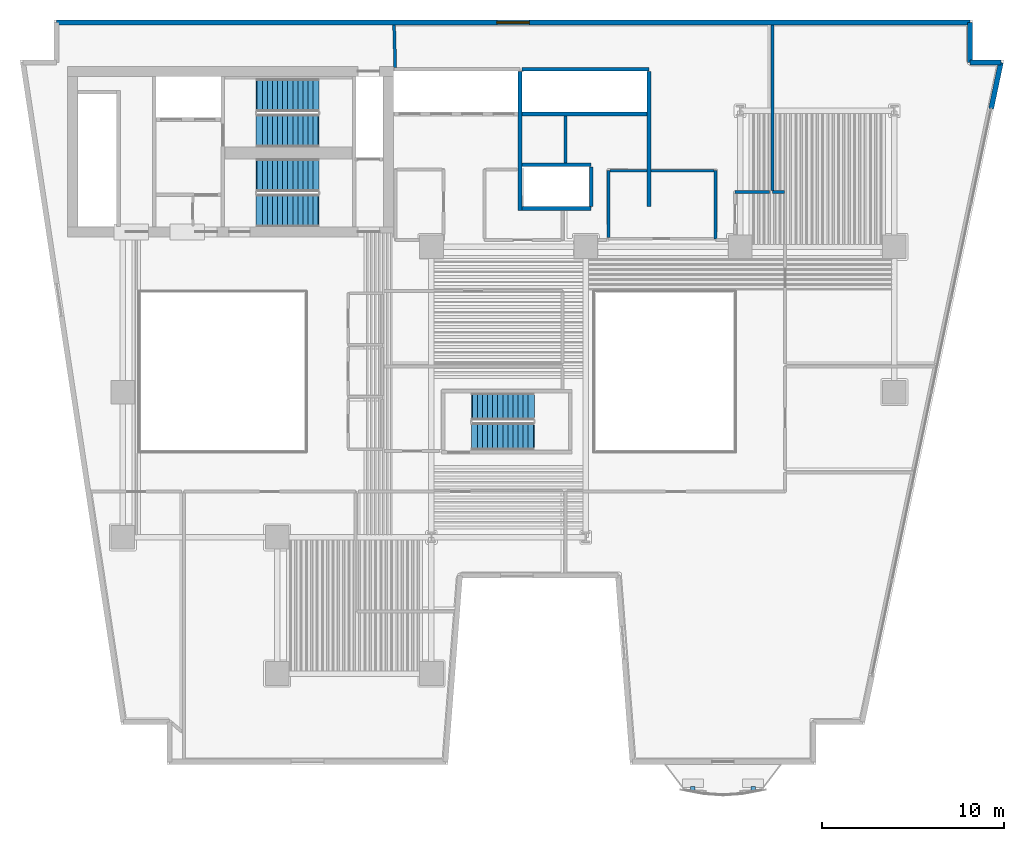
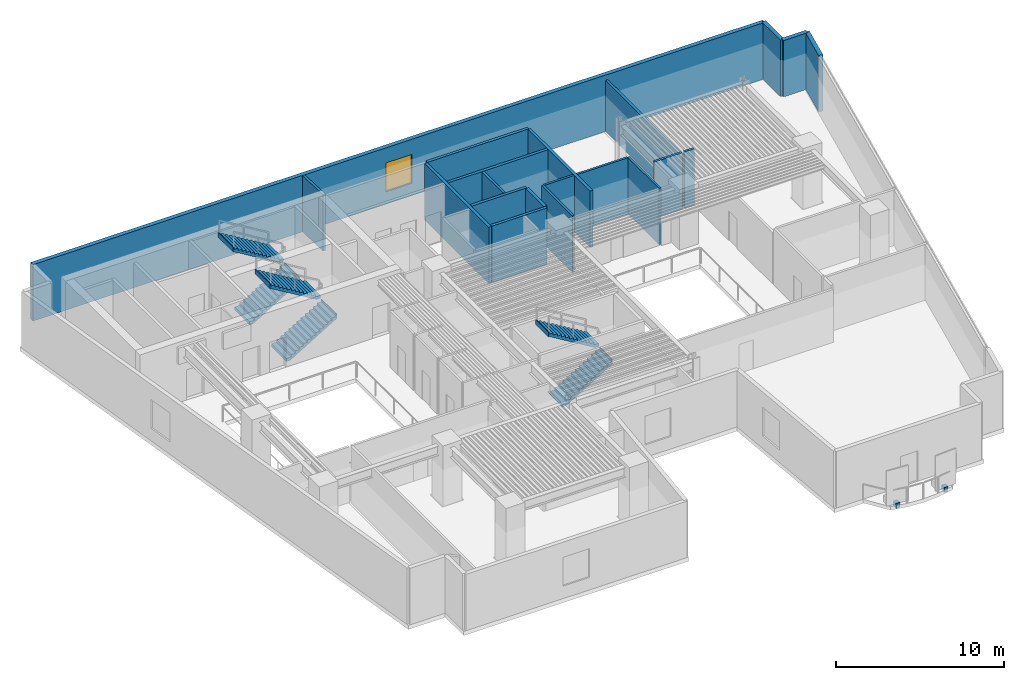
# One storey, part 6 of 11: 20 walls, 6 stair flights, 2 discrete accessories, 1 window, 1 opening, 3 elements without a shape of their own.
"""IFC4 building model written with IfcOpenShell, lengths in metres."""

from ifc_helpers import new_model, si_unit, direction, frame, frame_2d, origin, origin_2d, place, context, subcontext, project, spatial, polyline, rectangle, outline, extrude, material, layer, layer_set, type_object, element, fill, aggregate, save


model = new_model("IFC4")

# Units and contexts
model_context = context("Model", 3, precision=1e-05, world=origin(), true_north=direction((0.0, 1.0)))
body_context = subcontext(model_context, "Body", "Model", "MODEL_VIEW")
ifc_project = project(units=[si_unit("LENGTHUNIT", "METRE"), si_unit("AREAUNIT", "SQUARE_METRE"), si_unit("VOLUMEUNIT", "CUBIC_METRE"), si_unit("PLANEANGLEUNIT", "RADIAN"), si_unit("MASSUNIT", "GRAM", prefix="KILO")], contexts=[model_context])

# Site, building, storey
site_placement = place(None, origin())
site = spatial("IfcSite", under=ifc_project, at=site_placement, CompositionType="ELEMENT")
building_placement = place(site_placement, origin())
building = spatial("IfcBuilding", under=site, at=building_placement, Name="Caeloran Harvest Quay", CompositionType="ELEMENT")
storey_placement = place(building_placement, frame((0.0, 0.0, 66.60009765625)))
storey = spatial("IfcBuildingStorey", under=building, at=storey_placement, Name="L15", CompositionType="ELEMENT", Elevation=66.60009765625)

# Wall, opening, window
ifc_material_1 = material(Name="Precast concrete C50/60", Category="concrete")
ifc_layer_1 = layer(ifc_material_1, 0.280029296875, Name="Precast concrete C50/60")
ifc_layer_set_1 = layer_set([ifc_layer_1], Name="Precast concrete C50/60")
wall_type_1 = type_object("IfcWallType", Name="ENV-WALL-EW-280", PredefinedType="STANDARD", material=ifc_layer_set_1)
wall_1_placement = place(storey_placement, frame((4.840087890625, 43.360107421875, 0.0), z_axis=(0.0, 0.0, 1.0), x_axis=(1.0, 0.0, 0.0)))
wall_1 = element("IfcWall", 1, at=wall_1_placement, inside=storey, type_object=wall_type_1, Name="L15 Exterior Precast Concrete Facade Wall 6", PredefinedType="STANDARD", context=body_context, shape_type="SweptSolid", body=[
    extrude(rectangle(XDim=50.31982421875, YDim=0.280029296875, at=frame_2d((25.159912109375, 0.0))), origin(), (0.0, 0.0, 1.0), 4.099853515625),
])
opening_placement = place(wall_1_placement, frame((24.260009765625, 0.0, 0.89990234375)))
opening = element("IfcOpeningElement", 2, at=opening_placement, cuts=wall_1, Name="Opening W-01", PredefinedType="OPENING", context=body_context, shape_type="SweptSolid", body=[
    extrude(rectangle(XDim=1.800048828125, YDim=2.10009765625, at=frame_2d((0.89990234375, 1.050048828125))), frame((0.0, 0.14990234375, 0.0), z_axis=(0.0, -1.0, 0.0), x_axis=(1.0, 0.0, 0.0)), (0.0, 0.0, 1.0), 0.300048828125),
])
ifc_material_2 = material(Name="Aluminium-Framed Low-E Laminated Glass", Category="aluminium")
window_type = type_object("IfcWindowType", Name="WIN-W-01", PartitioningType="SINGLE_PANEL", PredefinedType="WINDOW", material=ifc_material_2)
window_placement = place(opening_placement, origin())
window = element("IfcWindow", 3, at=window_placement, inside=storey, type_object=window_type, Name="L15 Facade Punched Window W-01", OverallHeight=2.10009765625, OverallWidth=1.800048828125, PartitioningType="SINGLE_PANEL", PredefinedType="WINDOW", context=body_context, shape_type="SweptSolid", body=[
    extrude(rectangle(XDim=1.800048828125, YDim=2.10009765625, at=frame_2d((0.89990234375, 1.050048828125))), frame((0.0, 0.030029296875, 0.0), z_axis=(0.0, -1.0, 0.0), x_axis=(1.0, 0.0, 0.0)), (0.0, 0.0, 1.0), 0.06005859375),
])
fill(opening, window)

# Walls
wall_2_placement = place(storey_placement, frame((55.159912109375, 43.360107421875, 0.0), z_axis=(0.0, 0.0, 1.0), x_axis=(0.0, -1.0, 0.0)))
element("IfcWall", 4, at=wall_2_placement, inside=storey, type_object=wall_type_1, Name="L15 Exterior Precast Concrete Facade Wall 7", PredefinedType="STANDARD", context=body_context, shape_type="SweptSolid", body=[
    extrude(rectangle(XDim=2.2001953125, YDim=0.280029296875, at=frame_2d((1.10009765625, 0.0))), origin(), (0.0, 0.0, 1.0), 4.099853515625),
])
wall_3_placement = place(storey_placement, frame((55.159912109375, 41.159912109375, 0.0), z_axis=(0.0, 0.0, 1.0), x_axis=(1.0, 0.0, 0.0)))
element("IfcWall", 5, at=wall_3_placement, inside=storey, type_object=wall_type_1, Name="L15 Exterior Precast Concrete Facade Wall 8", PredefinedType="STANDARD", context=body_context, shape_type="SweptSolid", body=[
    extrude(rectangle(XDim=1.705322265625, YDim=0.280029296875, at=frame_2d((0.8525390625, 0.0))), origin(), (0.0, 0.0, 1.0), 4.099853515625),
])
wall_4_placement = place(storey_placement, frame((56.865234375, 41.159912109375, 0.0), z_axis=(0.0, 0.0, 1.0), x_axis=(-0.205551409765, -0.978646319128, 0.0)))
element("IfcWall", 6, at=wall_4_placement, inside=storey, type_object=wall_type_1, Name="L15 Exterior Facade Corner Pier Wall 9A", PredefinedType="STANDARD", context=body_context, shape_type="SweptSolid", body=[
    extrude(rectangle(XDim=2.599853515625, YDim=0.280029296875, at=frame_2d((1.2998046875, 0.0))), origin(), (0.0, 0.0, 1.0), 4.099853515625),
])
ifc_material_3 = material(Name="Autoclaved Aerated Concrete Blockwork and Plasterboard", Category="masonry")
ifc_layer_2 = layer(ifc_material_3, 0.14990234375, Name="Autoclaved Aerated Concrete Blockwork and Plasterboard")
ifc_layer_set_2 = layer_set([ifc_layer_2], Name="Autoclaved Aerated Concrete Blockwork and Plasterboard")
wall_type_2 = type_object("IfcWallType", Name="INT-WALL-PW-150", PredefinedType="PARTITIONING", material=ifc_layer_set_2)
wall_5_placement = place(storey_placement, frame((41.14990234375, 35.199951171875, 0.0), z_axis=(0.0, 0.0, 1.0), x_axis=(0.0, -1.0, 0.0)))
element("IfcWall", 7, at=wall_5_placement, inside=storey, type_object=wall_type_2, Name="L15 Core Telemetry Control Room Partition Wall", PredefinedType="PARTITIONING", context=body_context, shape_type="SweptSolid", body=[
    extrude(rectangle(XDim=3.75, YDim=0.14990234375, at=frame_2d((1.875, 0.0))), origin(), (0.0, 0.0, 1.0), 4.099853515625),
])
wall_6_placement = place(storey_placement, frame((35.25, 31.530029296875, 0.0), z_axis=(0.0, 0.0, 1.0), x_axis=(0.0, 1.0, 0.0)))
element("IfcWall", 8, at=wall_6_placement, inside=storey, type_object=wall_type_2, Name="L15 Core Telemetry Control Room Partition Wall", PredefinedType="PARTITIONING", context=body_context, shape_type="SweptSolid", body=[
    extrude(rectangle(XDim=3.669921875, YDim=0.14990234375, at=frame_2d((1.8349609375, 0.0))), origin(), (0.0, 0.0, 1.0), 4.099853515625),
])
wall_7_placement = place(storey_placement, frame((35.330078125, 35.199951171875, 0.0), z_axis=(0.0, 0.0, 1.0), x_axis=(1.0, 0.0, 0.0)))
element("IfcWall", 9, at=wall_7_placement, inside=storey, type_object=wall_type_2, Name="L15 Core Telemetry Control Room Partition Wall", PredefinedType="PARTITIONING", context=body_context, shape_type="SweptSolid", body=[
    extrude(rectangle(XDim=2.044921875, YDim=0.14990234375, at=frame_2d((1.0224609375, 0.0))), origin(), (0.0, 0.0, 1.0), 4.099853515625),
])
wall_8_placement = place(storey_placement, frame((37.5849609375, 35.199951171875, 0.0), z_axis=(0.0, 0.0, 1.0), x_axis=(1.0, 0.0, 0.0)))
element("IfcWall", 10, at=wall_8_placement, inside=storey, type_object=wall_type_2, Name="L15 Core Telemetry Control Room Partition Wall", PredefinedType="PARTITIONING", context=body_context, shape_type="SweptSolid", body=[
    extrude(rectangle(XDim=3.485107421875, YDim=0.14990234375, at=frame_2d((1.74267578125, 0.0))), origin(), (0.0, 0.0, 1.0), 4.099853515625),
])
ifc_material_4 = material(Name="Autoclaved Aerated Concrete Blockwork", Category="masonry")
ifc_layer_3 = layer(ifc_material_4, 0.1650390625, Name="Autoclaved Aerated Concrete Blockwork")
ifc_layer_set_3 = layer_set([ifc_layer_3], Name="Autoclaved Aerated Concrete Blockwork")
wall_type_3 = type_object("IfcWallType", Name="INT-WALL-PW-165", PredefinedType="PARTITIONING", material=ifc_layer_set_3)
wall_9_placement = place(storey_placement, frame((44.949951171875, 34.030029296875, 0.0), z_axis=(0.0, 0.0, 1.0), x_axis=(-1.0, 0.0, 0.0)))
element("IfcWall", 11, at=wall_9_placement, inside=storey, type_object=wall_type_3, Name="Medicinal Plant Aeroponic Room 10 Partition Wall", PredefinedType="PARTITIONING", context=body_context, shape_type="SweptSolid", body=[
    extrude(rectangle(XDim=0.669921875, YDim=0.1650390625, at=frame_2d((0.3349609375, 0.0))), origin(), (0.0, 0.0, 1.0), 4.099853515625),
])
wall_10_placement = place(storey_placement, frame((44.280029296875, 34.117431640625, 0.0), z_axis=(0.0, 0.0, 1.0), x_axis=(0.0, 1.0, 0.0)))
element("IfcWall", 12, at=wall_10_placement, inside=storey, type_object=wall_type_3, Name="Medicinal Plant Aeroponic Room 10 Partition Wall", PredefinedType="PARTITIONING", context=body_context, shape_type="SweptSolid", body=[
    extrude(rectangle(XDim=9.09765625, YDim=0.1650390625, at=frame_2d((4.548828125, 0.0))), origin(), (0.0, 0.0, 1.0), 3.724853515625),
])
wall_11_placement = place(storey_placement, frame((44.1201171875, 34.030029296875, 0.0), z_axis=(0.0, 0.0, 1.0), x_axis=(-1.0, 0.0, 0.0)))
element("IfcWall", 13, at=wall_11_placement, inside=storey, type_object=wall_type_3, Name="Photobiology Spectrum Laboratory 11 Partition Wall", PredefinedType="PARTITIONING", context=body_context, shape_type="SweptSolid", body=[
    extrude(rectangle(XDim=1.900146484375, YDim=0.1650390625, at=frame_2d((0.9501953125, 0.0))), origin(), (0.0, 0.0, 1.0), 4.099853515625),
])
wall_12_placement = place(storey_placement, frame((32.8798828125, 35.635009765625, 0.0), z_axis=(0.0, 0.0, 1.0), x_axis=(0.0, 1.0, 0.0)))
element("IfcWall", 14, at=wall_12_placement, inside=storey, type_object=wall_type_3, Name="Photobiology Spectrum Laboratory 11 Partition Wall", PredefinedType="PARTITIONING", context=body_context, shape_type="SweptSolid", body=[
    extrude(rectangle(XDim=2.580078125, YDim=0.1650390625, at=frame_2d((1.2900390625, 0.0))), origin(), (0.0, 0.0, 1.0), 4.099853515625),
])
wall_13_placement = place(storey_placement, frame((23.505615234375, 40.885009765625, 0.0), z_axis=(0.0, 0.0, 1.0), x_axis=(-0.027441464163, 0.999623412113, 0.0)))
element("IfcWall", 15, at=wall_13_placement, inside=storey, type_object=wall_type_3, Name="Photobiology Spectrum Laboratory 11 Partition Wall", PredefinedType="PARTITIONING", context=body_context, shape_type="SweptSolid", body=[
    extrude(rectangle(XDim=2.3310546875, YDim=0.1650390625, at=frame_2d((1.16552734375, 0.0))), origin(), (0.0, 0.0, 1.0), 4.099853515625),
])
ifc_material_5 = material(Name="Concrete C50/60", Category="concrete")
ifc_layer_4 = layer(ifc_material_5, 0.199951171875, Name="Concrete C50/60")
ifc_layer_set_4 = layer_set([ifc_layer_4], Name="Concrete C50/60")
wall_type_4 = type_object("IfcWallType", Name="INT-WALL-SW-200", PredefinedType="PARTITIONING", material=ifc_layer_set_4)
wall_14_placement = place(storey_placement, frame((30.3798828125, 33.02001953125, 0.0), z_axis=(0.0, 0.0, 1.0), x_axis=(0.0, 1.0, 0.0)))
element("IfcWall", 16, at=wall_14_placement, inside=storey, type_object=wall_type_4, Name="L15 Bank 1 Lift Shaft East Wall", PredefinedType="PARTITIONING", context=body_context, shape_type="SweptSolid", body=[
    extrude(rectangle(XDim=7.639892578125, YDim=0.199951171875, at=frame_2d((3.81982421875, 0.0))), origin(), (0.0, 0.0, 1.0), 4.099853515625),
])
wall_15_placement = place(storey_placement, frame((30.5, 40.780029296875, 0.0), z_axis=(0.0, 0.0, 1.0), x_axis=(1.0, 0.0, 0.0)))
element("IfcWall", 17, at=wall_15_placement, inside=storey, type_object=wall_type_4, Name="L15 Bank 2 Lift Shaft North Wall", PredefinedType="PARTITIONING", context=body_context, shape_type="SweptSolid", body=[
    extrude(rectangle(XDim=6.97998046875, YDim=0.199951171875, at=frame_2d((3.489990234375, 0.0))), origin(), (0.0, 0.0, 1.0), 4.099853515625),
])
wall_16_placement = place(storey_placement, frame((37.47998046875, 33.239990234375, 0.0), z_axis=(0.0, 0.0, 1.0), x_axis=(0.0, 1.0, 0.0)))
element("IfcWall", 18, at=wall_16_placement, inside=storey, type_object=wall_type_4, Name="L15 Bank 2 Lift Shaft East Wall", PredefinedType="PARTITIONING", context=body_context, shape_type="SweptSolid", body=[
    extrude(rectangle(XDim=7.419921875, YDim=0.199951171875, at=frame_2d((3.7099609375, 0.0))), origin(), (0.0, 0.0, 1.0), 4.099853515625),
])
wall_17_placement = place(storey_placement, frame((30.5, 38.320068359375, 0.0), z_axis=(0.0, 0.0, 1.0), x_axis=(1.0, 0.0, 0.0)))
element("IfcWall", 19, at=wall_17_placement, inside=storey, type_object=wall_type_4, Name="L15 Bank 2 Lift Landing Front Wall", PredefinedType="PARTITIONING", context=body_context, shape_type="SweptSolid", body=[
    extrude(rectangle(XDim=6.860107421875, YDim=0.199951171875, at=frame_2d((3.43017578125, 0.0))), origin(), (0.0, 0.0, 1.0), 4.099853515625),
])
for number, where, z_axis, x_axis, name in (
    (20, (30.5, 35.530029296875, 0.0), (0.0, 0.0, 1.0), (1.0, 0.0, 0.0), "L15 Shuttle Lift Landing Front Wall"),
    (21, (30.5, 33.1201171875, 0.0), (0.0, 0.0, 1.0), (1.0, 0.0, 0.0), "L15 Shuttle Lift Shaft South Wall"),
):
    element("IfcWall", number, at=place(storey_placement, frame(where, z_axis=z_axis, x_axis=x_axis)), inside=storey, type_object=wall_type_4, Name=name, PredefinedType="PARTITIONING", context=body_context, shape_type="SweptSolid", body=[
        extrude(rectangle(XDim=3.800048828125, YDim=0.199951171875, at=frame_2d((1.89990234375, 0.0))), origin(), (0.0, 0.0, 1.0), 4.099853515625),
    ])
wall_18_placement = place(storey_placement, frame((34.300048828125, 33.239990234375, 0.0), z_axis=(0.0, 0.0, 1.0), x_axis=(0.0, 1.0, 0.0)))
element("IfcWall", 22, at=wall_18_placement, inside=storey, type_object=wall_type_4, Name="L15 Shuttle Lift Shaft East Wall", PredefinedType="PARTITIONING", context=body_context, shape_type="SweptSolid", body=[
    extrude(rectangle(XDim=2.169921875, YDim=0.199951171875, at=frame_2d((1.0849609375, 0.0))), origin(), (0.0, 0.0, 1.0), 4.099853515625),
])

# Stair, stair flights
stair_type_1 = type_object("IfcStairType", Name="STAIR-STC-180", PredefinedType="HALF_TURN_STAIR", material=ifc_material_5)
stair_1_placement = place(storey_placement, origin())
stair_1 = element("IfcStair", 23, at=stair_1_placement, inside=storey, type_object=stair_type_1, Name="L15 Core Pressurized Exit Stair ST-C1", PredefinedType="HALF_TURN_STAIR")
stair_flight_type_1 = type_object("IfcStairFlightType", Name="FLIGHT-STC-180", PredefinedType="STRAIGHT", material=ifc_material_5)
stair_flight_1_placement = place(storey_placement, frame((15.89990234375, 37.39990234375, 0.0), z_axis=(0.0, 0.0, 1.0), x_axis=(1.0, 0.0, 0.0)))
stair_flight_1 = element("IfcStairFlight", 24, at=stair_flight_1_placement, type_object=stair_flight_type_1, Name="ST-C1 flight 1", NumberOfRisers=13, NumberOfTreads=12, PredefinedType="STRAIGHT", RiserHeight=0.169230769, TreadLength=0.28, context=body_context, shape_type="SweptSolid", body=[
    extrude(outline(polyline([(-0.054931640625, -0.044921875), (-0.054931640625, -0.031494140625), (-0.054931640625, -0.018310546875), (-0.054931640625, -0.0048828125), (-0.054931640625, 0.008544921875), (-0.054931640625, 0.02197265625), (-0.054931640625, 0.035400390625), (-0.054931640625, 0.048828125), (-0.054931640625, 0.06201171875), (-0.054931640625, 0.075439453125), (-0.054931640625, 0.0888671875), (-0.054931640625, 0.102294921875), (-0.054931640625, 0.11572265625), (-0.054931640625, 0.129150390625), (-0.054931640625, 0.142333984375), (-0.054931640625, 0.15576171875), (-0.054931640625, 0.169189453125), (0.280029296875, 0.169189453125), (0.280029296875, 0.33837890625), (0.56005859375, 0.33837890625), (0.56005859375, 0.5078125), (0.840087890625, 0.5078125), (0.840087890625, 0.677001953125), (1.1201171875, 0.677001953125), (1.1201171875, 0.84619140625), (1.39990234375, 0.84619140625), (1.39990234375, 1.015380859375), (1.679931640625, 1.015380859375), (1.679931640625, 1.1845703125), (1.9599609375, 1.1845703125), (1.9599609375, 1.353759765625), (2.239990234375, 1.353759765625), (2.239990234375, 1.523193359375), (2.52001953125, 1.523193359375), (2.52001953125, 1.6923828125), (2.800048828125, 1.6923828125), (2.800048828125, 1.861572265625), (3.080078125, 1.861572265625), (3.080078125, 2.03076171875), (3.360107421875, 2.03076171875), (3.360107421875, 2.199951171875), (3.4150390625, 2.199951171875), (3.4150390625, 2.178466796875), (3.4150390625, 2.156982421875), (3.4150390625, 2.135498046875), (3.4150390625, 2.114013671875), (3.4150390625, 2.09228515625), (3.4150390625, 2.07080078125), (3.4150390625, 2.04931640625), (3.4150390625, 2.02783203125), (3.4150390625, 2.00634765625), (3.4150390625, 1.98486328125), (3.4150390625, 1.963134765625), (3.4150390625, 1.941650390625), (3.4150390625, 1.920166015625), (3.4150390625, 1.898681640625), (3.4150390625, 1.877197265625), (3.4150390625, 1.855712890625), (3.360107421875, 1.855712890625), (0.21533203125, -0.044921875), (-0.054931640625, -0.044921875)])), frame((0.0, 0.89990234375, 0.0), z_axis=(0.0, -1.0, 0.0), x_axis=(1.0, 0.0, 0.0)), (0.0, 0.0, 1.0), 1.800048828125),
])
stair_flight_2_placement = place(storey_placement, frame((19.260009765625, 39.35009765625, 2.199951171875), z_axis=(0.0, 0.0, 1.0), x_axis=(-1.0, 0.0, 0.0)))
stair_flight_2 = element("IfcStairFlight", 25, at=stair_flight_2_placement, type_object=stair_flight_type_1, Name="ST-C1 flight 2", NumberOfRisers=13, NumberOfTreads=12, PredefinedType="STRAIGHT", RiserHeight=0.169230769, TreadLength=0.28, context=body_context, shape_type="SweptSolid", body=[
    extrude(outline(polyline([(-0.054931640625, -0.044921875), (-0.054931640625, -0.031494140625), (-0.054931640625, -0.018310546875), (-0.054931640625, -0.0048828125), (-0.054931640625, 0.008544921875), (-0.054931640625, 0.02197265625), (-0.054931640625, 0.035400390625), (-0.054931640625, 0.048828125), (-0.054931640625, 0.06201171875), (-0.054931640625, 0.075439453125), (-0.054931640625, 0.0888671875), (-0.054931640625, 0.102294921875), (-0.054931640625, 0.11572265625), (-0.054931640625, 0.129150390625), (-0.054931640625, 0.142333984375), (-0.054931640625, 0.15576171875), (-0.054931640625, 0.169189453125), (0.280029296875, 0.169189453125), (0.280029296875, 0.33837890625), (0.56005859375, 0.33837890625), (0.56005859375, 0.5078125), (0.840087890625, 0.5078125), (0.840087890625, 0.677001953125), (1.1201171875, 0.677001953125), (1.1201171875, 0.84619140625), (1.39990234375, 0.84619140625), (1.39990234375, 1.015380859375), (1.679931640625, 1.015380859375), (1.679931640625, 1.1845703125), (1.9599609375, 1.1845703125), (1.9599609375, 1.353759765625), (2.239990234375, 1.353759765625), (2.239990234375, 1.523193359375), (2.52001953125, 1.523193359375), (2.52001953125, 1.6923828125), (2.800048828125, 1.6923828125), (2.800048828125, 1.861572265625), (3.080078125, 1.861572265625), (3.080078125, 2.03076171875), (3.360107421875, 2.03076171875), (3.360107421875, 2.199951171875), (3.4150390625, 2.199951171875), (3.4150390625, 2.178466796875), (3.4150390625, 2.156982421875), (3.4150390625, 2.135498046875), (3.4150390625, 2.114013671875), (3.4150390625, 2.09228515625), (3.4150390625, 2.07080078125), (3.4150390625, 2.04931640625), (3.4150390625, 2.02783203125), (3.4150390625, 2.00634765625), (3.4150390625, 1.98486328125), (3.4150390625, 1.963134765625), (3.4150390625, 1.941650390625), (3.4150390625, 1.920166015625), (3.4150390625, 1.898681640625), (3.4150390625, 1.877197265625), (3.4150390625, 1.855712890625), (3.360107421875, 1.855712890625), (0.21533203125, -0.044921875), (-0.054931640625, -0.044921875)])), frame((0.0, 0.89990234375, 0.0), z_axis=(0.0, -1.0, 0.0), x_axis=(1.0, 0.0, 0.0)), (0.0, 0.0, 1.0), 1.800048828125),
])
aggregate(stair_1, [stair_flight_1, stair_flight_2])

stair_2_placement = place(storey_placement, origin())
stair_2 = element("IfcStair", 26, at=stair_2_placement, inside=storey, type_object=stair_type_1, Name="L15 Core Pressurized Exit Stair ST-C2", PredefinedType="HALF_TURN_STAIR")
stair_flight_3_placement = place(storey_placement, frame((15.89990234375, 33.0, 0.0), z_axis=(0.0, 0.0, 1.0), x_axis=(1.0, 0.0, 0.0)))
stair_flight_3 = element("IfcStairFlight", 27, at=stair_flight_3_placement, type_object=stair_flight_type_1, Name="ST-C2 flight 1", NumberOfRisers=13, NumberOfTreads=12, PredefinedType="STRAIGHT", RiserHeight=0.169230769, TreadLength=0.28, context=body_context, shape_type="SweptSolid", body=[
    extrude(outline(polyline([(-0.054931640625, -0.044921875), (-0.054931640625, -0.031494140625), (-0.054931640625, -0.018310546875), (-0.054931640625, -0.0048828125), (-0.054931640625, 0.008544921875), (-0.054931640625, 0.02197265625), (-0.054931640625, 0.035400390625), (-0.054931640625, 0.048828125), (-0.054931640625, 0.06201171875), (-0.054931640625, 0.075439453125), (-0.054931640625, 0.0888671875), (-0.054931640625, 0.102294921875), (-0.054931640625, 0.11572265625), (-0.054931640625, 0.129150390625), (-0.054931640625, 0.142333984375), (-0.054931640625, 0.15576171875), (-0.054931640625, 0.169189453125), (0.280029296875, 0.169189453125), (0.280029296875, 0.33837890625), (0.56005859375, 0.33837890625), (0.56005859375, 0.5078125), (0.840087890625, 0.5078125), (0.840087890625, 0.677001953125), (1.1201171875, 0.677001953125), (1.1201171875, 0.84619140625), (1.39990234375, 0.84619140625), (1.39990234375, 1.015380859375), (1.679931640625, 1.015380859375), (1.679931640625, 1.1845703125), (1.9599609375, 1.1845703125), (1.9599609375, 1.353759765625), (2.239990234375, 1.353759765625), (2.239990234375, 1.523193359375), (2.52001953125, 1.523193359375), (2.52001953125, 1.6923828125), (2.800048828125, 1.6923828125), (2.800048828125, 1.861572265625), (3.080078125, 1.861572265625), (3.080078125, 2.03076171875), (3.360107421875, 2.03076171875), (3.360107421875, 2.199951171875), (3.4150390625, 2.199951171875), (3.4150390625, 2.178466796875), (3.4150390625, 2.156982421875), (3.4150390625, 2.135498046875), (3.4150390625, 2.114013671875), (3.4150390625, 2.09228515625), (3.4150390625, 2.07080078125), (3.4150390625, 2.04931640625), (3.4150390625, 2.02783203125), (3.4150390625, 2.00634765625), (3.4150390625, 1.98486328125), (3.4150390625, 1.963134765625), (3.4150390625, 1.941650390625), (3.4150390625, 1.920166015625), (3.4150390625, 1.898681640625), (3.4150390625, 1.877197265625), (3.4150390625, 1.855712890625), (3.360107421875, 1.855712890625), (0.21533203125, -0.044921875), (-0.054931640625, -0.044921875)])), frame((0.0, 0.89990234375, 0.0), z_axis=(0.0, -1.0, 0.0), x_axis=(1.0, 0.0, 0.0)), (0.0, 0.0, 1.0), 1.800048828125),
])
stair_flight_4_placement = place(storey_placement, frame((19.260009765625, 34.949951171875, 2.199951171875), z_axis=(0.0, 0.0, 1.0), x_axis=(-1.0, 0.0, 0.0)))
stair_flight_4 = element("IfcStairFlight", 28, at=stair_flight_4_placement, type_object=stair_flight_type_1, Name="ST-C2 flight 2", NumberOfRisers=13, NumberOfTreads=12, PredefinedType="STRAIGHT", RiserHeight=0.169230769, TreadLength=0.28, context=body_context, shape_type="SweptSolid", body=[
    extrude(outline(polyline([(-0.054931640625, -0.044921875), (-0.054931640625, -0.031494140625), (-0.054931640625, -0.018310546875), (-0.054931640625, -0.0048828125), (-0.054931640625, 0.008544921875), (-0.054931640625, 0.02197265625), (-0.054931640625, 0.035400390625), (-0.054931640625, 0.048828125), (-0.054931640625, 0.06201171875), (-0.054931640625, 0.075439453125), (-0.054931640625, 0.0888671875), (-0.054931640625, 0.102294921875), (-0.054931640625, 0.11572265625), (-0.054931640625, 0.129150390625), (-0.054931640625, 0.142333984375), (-0.054931640625, 0.15576171875), (-0.054931640625, 0.169189453125), (0.280029296875, 0.169189453125), (0.280029296875, 0.33837890625), (0.56005859375, 0.33837890625), (0.56005859375, 0.5078125), (0.840087890625, 0.5078125), (0.840087890625, 0.677001953125), (1.1201171875, 0.677001953125), (1.1201171875, 0.84619140625), (1.39990234375, 0.84619140625), (1.39990234375, 1.015380859375), (1.679931640625, 1.015380859375), (1.679931640625, 1.1845703125), (1.9599609375, 1.1845703125), (1.9599609375, 1.353759765625), (2.239990234375, 1.353759765625), (2.239990234375, 1.523193359375), (2.52001953125, 1.523193359375), (2.52001953125, 1.6923828125), (2.800048828125, 1.6923828125), (2.800048828125, 1.861572265625), (3.080078125, 1.861572265625), (3.080078125, 2.03076171875), (3.360107421875, 2.03076171875), (3.360107421875, 2.199951171875), (3.4150390625, 2.199951171875), (3.4150390625, 2.178466796875), (3.4150390625, 2.156982421875), (3.4150390625, 2.135498046875), (3.4150390625, 2.114013671875), (3.4150390625, 2.09228515625), (3.4150390625, 2.07080078125), (3.4150390625, 2.04931640625), (3.4150390625, 2.02783203125), (3.4150390625, 2.00634765625), (3.4150390625, 1.98486328125), (3.4150390625, 1.963134765625), (3.4150390625, 1.941650390625), (3.4150390625, 1.920166015625), (3.4150390625, 1.898681640625), (3.4150390625, 1.877197265625), (3.4150390625, 1.855712890625), (3.360107421875, 1.855712890625), (0.21533203125, -0.044921875), (-0.054931640625, -0.044921875)])), frame((0.0, 0.89990234375, 0.0), z_axis=(0.0, -1.0, 0.0), x_axis=(1.0, 0.0, 0.0)), (0.0, 0.0, 1.0), 1.800048828125),
])
aggregate(stair_2, [stair_flight_3, stair_flight_4])

stair_type_2 = type_object("IfcStairType", Name="STAIR-STW-150", PredefinedType="HALF_TURN_STAIR", material=ifc_material_5)
stair_3_placement = place(storey_placement, origin())
stair_3 = element("IfcStair", 29, at=stair_3_placement, inside=storey, type_object=stair_type_2, Name="L15 East Wing Protected Exit Stair ST-W1", PredefinedType="HALF_TURN_STAIR")
stair_flight_type_2 = type_object("IfcStairFlightType", Name="FLIGHT-STW-150", PredefinedType="STRAIGHT", material=ifc_material_5)
stair_flight_5_placement = place(storey_placement, frame((27.75, 20.550048828125, 0.0), z_axis=(0.0, 0.0, 1.0), x_axis=(1.0, 0.0, 0.0)))
stair_flight_5 = element("IfcStairFlight", 30, at=stair_flight_5_placement, type_object=stair_flight_type_2, Name="ST-W1 flight 1", NumberOfRisers=13, NumberOfTreads=12, PredefinedType="STRAIGHT", RiserHeight=0.169230769, TreadLength=0.28, context=body_context, shape_type="SweptSolid", body=[
    extrude(outline(polyline([(-0.054931640625, -0.044921875), (-0.054931640625, -0.031494140625), (-0.054931640625, -0.018310546875), (-0.054931640625, -0.0048828125), (-0.054931640625, 0.008544921875), (-0.054931640625, 0.02197265625), (-0.054931640625, 0.035400390625), (-0.054931640625, 0.048828125), (-0.054931640625, 0.06201171875), (-0.054931640625, 0.075439453125), (-0.054931640625, 0.0888671875), (-0.054931640625, 0.102294921875), (-0.054931640625, 0.11572265625), (-0.054931640625, 0.129150390625), (-0.054931640625, 0.142333984375), (-0.054931640625, 0.15576171875), (-0.054931640625, 0.169189453125), (0.280029296875, 0.169189453125), (0.280029296875, 0.33837890625), (0.56005859375, 0.33837890625), (0.56005859375, 0.5078125), (0.840087890625, 0.5078125), (0.840087890625, 0.677001953125), (1.1201171875, 0.677001953125), (1.1201171875, 0.84619140625), (1.39990234375, 0.84619140625), (1.39990234375, 1.015380859375), (1.679931640625, 1.015380859375), (1.679931640625, 1.1845703125), (1.9599609375, 1.1845703125), (1.9599609375, 1.353759765625), (2.239990234375, 1.353759765625), (2.239990234375, 1.523193359375), (2.52001953125, 1.523193359375), (2.52001953125, 1.6923828125), (2.800048828125, 1.6923828125), (2.800048828125, 1.861572265625), (3.080078125, 1.861572265625), (3.080078125, 2.03076171875), (3.360107421875, 2.03076171875), (3.360107421875, 2.199951171875), (3.4150390625, 2.199951171875), (3.4150390625, 2.178466796875), (3.4150390625, 2.156982421875), (3.4150390625, 2.135498046875), (3.4150390625, 2.114013671875), (3.4150390625, 2.09228515625), (3.4150390625, 2.07080078125), (3.4150390625, 2.04931640625), (3.4150390625, 2.02783203125), (3.4150390625, 2.00634765625), (3.4150390625, 1.98486328125), (3.4150390625, 1.963134765625), (3.4150390625, 1.941650390625), (3.4150390625, 1.920166015625), (3.4150390625, 1.898681640625), (3.4150390625, 1.877197265625), (3.4150390625, 1.855712890625), (3.360107421875, 1.855712890625), (0.21533203125, -0.044921875), (-0.054931640625, -0.044921875)])), frame((0.0, 0.75, 0.0), z_axis=(0.0, -1.0, 0.0), x_axis=(1.0, 0.0, 0.0)), (0.0, 0.0, 1.0), 1.5),
])
stair_flight_6_placement = place(storey_placement, frame((31.110107421875, 22.199951171875, 2.199951171875), z_axis=(0.0, 0.0, 1.0), x_axis=(-1.0, 0.0, 0.0)))
stair_flight_6 = element("IfcStairFlight", 31, at=stair_flight_6_placement, type_object=stair_flight_type_2, Name="ST-W1 flight 2", NumberOfRisers=13, NumberOfTreads=12, PredefinedType="STRAIGHT", RiserHeight=0.169230769, TreadLength=0.28, context=body_context, shape_type="SweptSolid", body=[
    extrude(outline(polyline([(-0.054931640625, -0.044921875), (-0.054931640625, -0.031494140625), (-0.054931640625, -0.018310546875), (-0.054931640625, -0.0048828125), (-0.054931640625, 0.008544921875), (-0.054931640625, 0.02197265625), (-0.054931640625, 0.035400390625), (-0.054931640625, 0.048828125), (-0.054931640625, 0.06201171875), (-0.054931640625, 0.075439453125), (-0.054931640625, 0.0888671875), (-0.054931640625, 0.102294921875), (-0.054931640625, 0.11572265625), (-0.054931640625, 0.129150390625), (-0.054931640625, 0.142333984375), (-0.054931640625, 0.15576171875), (-0.054931640625, 0.169189453125), (0.280029296875, 0.169189453125), (0.280029296875, 0.33837890625), (0.56005859375, 0.33837890625), (0.56005859375, 0.5078125), (0.840087890625, 0.5078125), (0.840087890625, 0.677001953125), (1.1201171875, 0.677001953125), (1.1201171875, 0.84619140625), (1.39990234375, 0.84619140625), (1.39990234375, 1.015380859375), (1.679931640625, 1.015380859375), (1.679931640625, 1.1845703125), (1.9599609375, 1.1845703125), (1.9599609375, 1.353759765625), (2.239990234375, 1.353759765625), (2.239990234375, 1.523193359375), (2.52001953125, 1.523193359375), (2.52001953125, 1.6923828125), (2.800048828125, 1.6923828125), (2.800048828125, 1.861572265625), (3.080078125, 1.861572265625), (3.080078125, 2.03076171875), (3.360107421875, 2.03076171875), (3.360107421875, 2.199951171875), (3.4150390625, 2.199951171875), (3.4150390625, 2.178466796875), (3.4150390625, 2.156982421875), (3.4150390625, 2.135498046875), (3.4150390625, 2.114013671875), (3.4150390625, 2.09228515625), (3.4150390625, 2.07080078125), (3.4150390625, 2.04931640625), (3.4150390625, 2.02783203125), (3.4150390625, 2.00634765625), (3.4150390625, 1.98486328125), (3.4150390625, 1.963134765625), (3.4150390625, 1.941650390625), (3.4150390625, 1.920166015625), (3.4150390625, 1.898681640625), (3.4150390625, 1.877197265625), (3.4150390625, 1.855712890625), (3.360107421875, 1.855712890625), (0.21533203125, -0.044921875), (-0.054931640625, -0.044921875)])), frame((0.0, 0.75, 0.0), z_axis=(0.0, -1.0, 0.0), x_axis=(1.0, 0.0, 0.0)), (0.0, 0.0, 1.0), 1.5),
])
aggregate(stair_3, [stair_flight_5, stair_flight_6])

# Discrete accessories
ifc_material_6 = material(Name="Stainless Steel Grade 316L", Category="steel")
discrete_accessory_type = type_object("IfcDiscreteAccessoryType", Name="BRACKET-SCREEN-SS", PredefinedType="BRACKET", material=ifc_material_6)
for number, where, z_axis, x_axis, name in (
    (32, (43.218505859375, 1.116455078125, -0.22021484375), (0.0, 0.0, 1.0), (1.0, 0.0, 0.0), "L15 Balcony Screen Support Bracket 1"),
    (33, (39.8984375, 1.116455078125, -0.22021484375), (0.0, 0.0, 1.0), (1.0, 0.0, 0.0), "L15 Balcony Screen Support Bracket 2"),
):
    element("IfcDiscreteAccessory", number, at=place(storey_placement, frame(where, z_axis=z_axis, x_axis=x_axis)), inside=storey, type_object=discrete_accessory_type, Name=name, PredefinedType="BRACKET", context=body_context, shape_type="SweptSolid", body=[
        extrude(rectangle(XDim=0.260009765625, YDim=0.340087890625, at=origin_2d()), origin(), (0.0, 0.0, 1.0), 0.360107421875),
    ])

save(model, "model.ifc")
